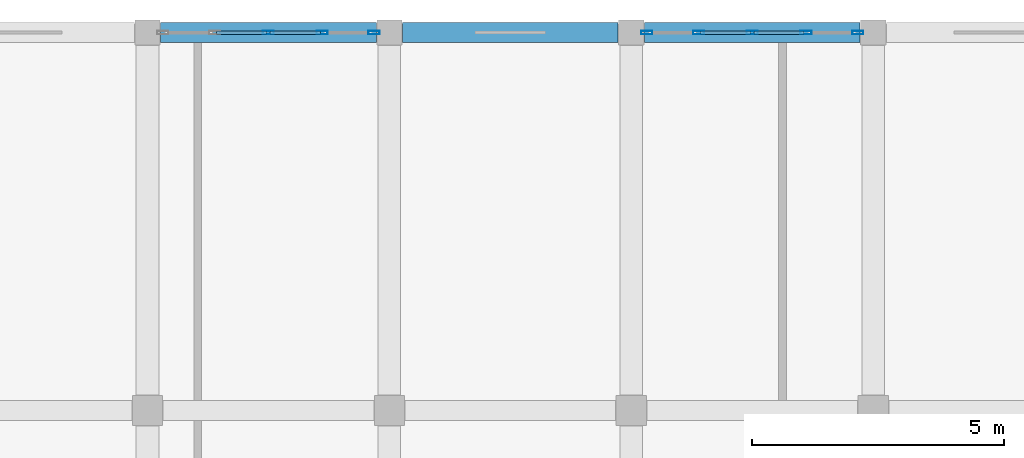
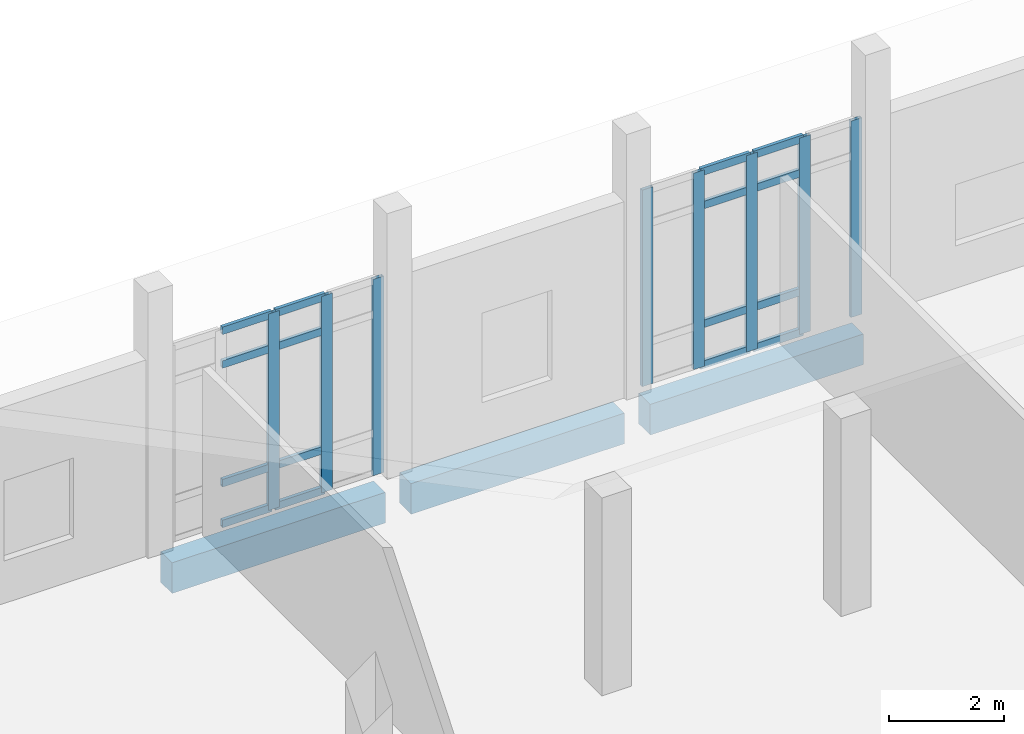
# One storey, part 101 of 164: 24 members, 3 beams, 2 elements without a shape of their own.
"""IFC4 building model written with IfcOpenShell, lengths in metres."""

from ifc_helpers import new_model, si_unit, direction, frame, origin, origin_2d, place, context, subcontext, project, spatial, rectangle, hollow_rectangle, extrude, material, layer, layer_set, material_profile, profile_set, type_object, element, aggregate, save


model = new_model("IFC4")

# Units and contexts
model_context = context("Model", 3, precision=1e-05, world=origin(), true_north=direction((0.0, 1.0)))
body_context = subcontext(model_context, "Body", "Model", "MODEL_VIEW")
ifc_project = project(units=[si_unit("LENGTHUNIT", "METRE"), si_unit("AREAUNIT", "SQUARE_METRE"), si_unit("VOLUMEUNIT", "CUBIC_METRE"), si_unit("PLANEANGLEUNIT", "RADIAN"), si_unit("MASSUNIT", "GRAM", prefix="KILO")], contexts=[model_context])

# Site, building, storey
site_placement = place(None, origin())
site = spatial("IfcSite", under=ifc_project, at=site_placement, CompositionType="ELEMENT")
building_placement = place(site_placement, origin())
building = spatial("IfcBuilding", under=site, at=building_placement, Name="Mawjan Specialist Oncology Clinic", CompositionType="ELEMENT")
storey_placement = place(building_placement, frame((0.0, 0.0, 5.0)))
storey = spatial("IfcBuildingStorey", under=building, at=storey_placement, Name="L01", CompositionType="ELEMENT", Elevation=5.0)

# Curtain wall, members
ifc_material_1 = material(Name="Unitised spectrally selective aluminium curtain wall", Category="aluminium")
ifc_layer = layer(ifc_material_1, 0.179931640625, Name="Unitised spectrally selective aluminium curtain wall", Category="aluminium")
ifc_layer_set = layer_set([ifc_layer], Name="Unitised spectrally selective aluminium curtain wall")
curtain_wall_type = type_object("IfcCurtainWallType", Name="CW-63", PredefinedType="NOTDEFINED", material=ifc_layer_set)
curtain_wall_1_placement = place(storey_placement, origin())
curtain_wall_1 = element("IfcCurtainWall", 1, at=curtain_wall_1_placement, inside=storey, type_object=curtain_wall_type, Name="L01 Unitised Curtain Wall CW-L01-121", PredefinedType="NOTDEFINED")
ifc_material_2 = material(Name="Thermally broken aluminium 6063-T6", Category="aluminium")
ifc_material_profile_1 = material_profile(ifc_material_2, hollow_rectangle(XDim=0.070068359375, YDim=0.219970703125, WallThickness=0.00390625, at=origin_2d()), Name="ALU MULLION 220x70x4", Category="aluminium")
ifc_profile_set_1 = profile_set([ifc_material_profile_1], Name="Thermally broken aluminium 6063-T6")
member_type_1 = type_object("IfcMemberType", Name="CW-M220", PredefinedType="MULLION", material=ifc_profile_set_1)
member_1_placement = place(storey_placement, frame((81.60009765625, 113.300048828125, 0.0), z_axis=(0.0, 0.0, 1.0), x_axis=(0.0, 1.0, 0.0)))
member_1 = element("IfcMember", 2, at=member_1_placement, type_object=member_type_1, Name="CW-63 mullion 3", PredefinedType="MULLION", context=body_context, shape_type="SweptSolid", body=[
    extrude(hollow_rectangle(XDim=0.070068359375, YDim=0.219970703125, WallThickness=0.00390625, at=origin_2d()), origin(), (0.0, 0.0, 1.0), 4.169921875),
])
member_2_placement = place(storey_placement, frame((82.6650390625, 113.300048828125, 0.0), z_axis=(0.0, 0.0, 1.0), x_axis=(0.0, 1.0, 0.0)))
member_2 = element("IfcMember", 3, at=member_2_placement, type_object=member_type_1, Name="CW-63 mullion 4", PredefinedType="MULLION", context=body_context, shape_type="SweptSolid", body=[
    extrude(hollow_rectangle(XDim=0.070068359375, YDim=0.219970703125, WallThickness=0.00390625, at=origin_2d()), origin(), (0.0, 0.0, 1.0), 4.169921875),
])
member_3_placement = place(storey_placement, frame((83.695068359375, 113.300048828125, 0.0), z_axis=(0.0, 0.0, 1.0), x_axis=(0.0, 1.0, 0.0)))
member_3 = element("IfcMember", 4, at=member_3_placement, type_object=member_type_1, Name="CW-63 mullion 5", PredefinedType="MULLION", context=body_context, shape_type="SweptSolid", body=[
    extrude(hollow_rectangle(XDim=0.070068359375, YDim=0.219970703125, WallThickness=0.00390625, at=origin_2d()), origin(), (0.0, 0.0, 1.0), 4.169921875),
])

curtain_wall_2_placement = place(storey_placement, origin())
curtain_wall_2 = element("IfcCurtainWall", 5, at=curtain_wall_2_placement, inside=storey, type_object=curtain_wall_type, Name="L01 Unitised Curtain Wall CW-L01-122", PredefinedType="NOTDEFINED")
member_4_placement = place(storey_placement, frame((89.10498046875, 113.300048828125, 0.0), z_axis=(0.0, 0.0, 1.0), x_axis=(0.0, 1.0, 0.0)))
member_4 = element("IfcMember", 6, at=member_4_placement, type_object=member_type_1, Name="CW-63 mullion 1", PredefinedType="MULLION", context=body_context, shape_type="SweptSolid", body=[
    extrude(hollow_rectangle(XDim=0.070068359375, YDim=0.219970703125, WallThickness=0.00390625, at=origin_2d()), origin(), (0.0, 0.0, 1.0), 4.169921875),
])
member_5_placement = place(storey_placement, frame((90.135009765625, 113.300048828125, 0.0), z_axis=(0.0, 0.0, 1.0), x_axis=(0.0, 1.0, 0.0)))
member_5 = element("IfcMember", 7, at=member_5_placement, type_object=member_type_1, Name="CW-63 mullion 2", PredefinedType="MULLION", context=body_context, shape_type="SweptSolid", body=[
    extrude(hollow_rectangle(XDim=0.070068359375, YDim=0.219970703125, WallThickness=0.00390625, at=origin_2d()), origin(), (0.0, 0.0, 1.0), 4.169921875),
])
member_6_placement = place(storey_placement, frame((91.199951171875, 113.300048828125, 0.0), z_axis=(0.0, 0.0, 1.0), x_axis=(0.0, 1.0, 0.0)))
member_6 = element("IfcMember", 8, at=member_6_placement, type_object=member_type_1, Name="CW-63 mullion 3", PredefinedType="MULLION", context=body_context, shape_type="SweptSolid", body=[
    extrude(hollow_rectangle(XDim=0.070068359375, YDim=0.219970703125, WallThickness=0.00390625, at=origin_2d()), origin(), (0.0, 0.0, 1.0), 4.169921875),
])
member_7_placement = place(storey_placement, frame((92.264892578125, 113.300048828125, 0.0), z_axis=(0.0, 0.0, 1.0), x_axis=(0.0, 1.0, 0.0)))
member_7 = element("IfcMember", 9, at=member_7_placement, type_object=member_type_1, Name="CW-63 mullion 4", PredefinedType="MULLION", context=body_context, shape_type="SweptSolid", body=[
    extrude(hollow_rectangle(XDim=0.070068359375, YDim=0.219970703125, WallThickness=0.00390625, at=origin_2d()), origin(), (0.0, 0.0, 1.0), 4.169921875),
])
member_8_placement = place(storey_placement, frame((93.294921875, 113.300048828125, 0.0), z_axis=(0.0, 0.0, 1.0), x_axis=(0.0, 1.0, 0.0)))
member_8 = element("IfcMember", 10, at=member_8_placement, type_object=member_type_1, Name="CW-63 mullion 5", PredefinedType="MULLION", context=body_context, shape_type="SweptSolid", body=[
    extrude(hollow_rectangle(XDim=0.070068359375, YDim=0.219970703125, WallThickness=0.00390625, at=origin_2d()), origin(), (0.0, 0.0, 1.0), 4.169921875),
])

# Member
ifc_material_3 = material(Name="Thermally broken aluminium 6063-T6", Category="aluminium")
ifc_material_profile_2 = material_profile(ifc_material_3, hollow_rectangle(XDim=0.070068359375, YDim=0.159912109375, WallThickness=0.00390625, at=origin_2d()), Name="ALU TRANSOM 160x70x4", Category="aluminium")
ifc_profile_set_2 = profile_set([ifc_material_profile_2], Name="Thermally broken aluminium 6063-T6")
member_type_2 = type_object("IfcMemberType", Name="CW-T160", PredefinedType="USERDEFINED", material=ifc_profile_set_2)
member_9_placement = place(storey_placement, frame((80.570068359375, 113.300048828125, 0.034912109375), z_axis=(1.0, 0.0, 0.0), x_axis=(0.0, 1.0, 0.0)))
member_9 = element("IfcMember", 11, at=member_9_placement, type_object=member_type_2, Name="CW-63 transom 2.1", ObjectType="TRANSOM", PredefinedType="USERDEFINED", context=body_context, shape_type="SweptSolid", body=[
    extrude(hollow_rectangle(XDim=0.070068359375, YDim=0.159912109375, WallThickness=0.00390625, at=origin_2d()), origin(), (0.0, 0.0, 1.0), 0.994873046875),
])

member_10_placement = place(storey_placement, frame((80.570068359375, 113.300048828125, 0.89990234375), z_axis=(1.0, 0.0, 0.0), x_axis=(0.0, 1.0, 0.0)))
member_10 = element("IfcMember", 12, at=member_10_placement, type_object=member_type_2, Name="CW-63 transom 2.2", ObjectType="TRANSOM", PredefinedType="USERDEFINED", context=body_context, shape_type="SweptSolid", body=[
    extrude(hollow_rectangle(XDim=0.070068359375, YDim=0.159912109375, WallThickness=0.00390625, at=origin_2d()), origin(), (0.0, 0.0, 1.0), 0.994873046875),
])

member_11_placement = place(storey_placement, frame((80.570068359375, 113.300048828125, 3.419921875), z_axis=(1.0, 0.0, 0.0), x_axis=(0.0, 1.0, 0.0)))
member_11 = element("IfcMember", 13, at=member_11_placement, type_object=member_type_2, Name="CW-63 transom 2.3", ObjectType="TRANSOM", PredefinedType="USERDEFINED", context=body_context, shape_type="SweptSolid", body=[
    extrude(hollow_rectangle(XDim=0.070068359375, YDim=0.159912109375, WallThickness=0.00390625, at=origin_2d()), origin(), (0.0, 0.0, 1.0), 0.994873046875),
])

member_12_placement = place(storey_placement, frame((80.570068359375, 113.300048828125, 4.135009765625), z_axis=(1.0, 0.0, 0.0), x_axis=(0.0, 1.0, 0.0)))
member_12 = element("IfcMember", 14, at=member_12_placement, type_object=member_type_2, Name="CW-63 transom 2.4", ObjectType="TRANSOM", PredefinedType="USERDEFINED", context=body_context, shape_type="SweptSolid", body=[
    extrude(hollow_rectangle(XDim=0.070068359375, YDim=0.159912109375, WallThickness=0.00390625, at=origin_2d()), origin(), (0.0, 0.0, 1.0), 0.994873046875),
])

member_13_placement = place(storey_placement, frame((81.635009765625, 113.300048828125, 0.034912109375), z_axis=(1.0, 0.0, 0.0), x_axis=(0.0, 1.0, 0.0)))
member_13 = element("IfcMember", 15, at=member_13_placement, type_object=member_type_2, Name="CW-63 transom 3.1", ObjectType="TRANSOM", PredefinedType="USERDEFINED", context=body_context, shape_type="SweptSolid", body=[
    extrude(hollow_rectangle(XDim=0.070068359375, YDim=0.159912109375, WallThickness=0.00390625, at=origin_2d()), origin(), (0.0, 0.0, 1.0), 0.994873046875),
])

member_14_placement = place(storey_placement, frame((81.635009765625, 113.300048828125, 0.89990234375), z_axis=(1.0, 0.0, 0.0), x_axis=(0.0, 1.0, 0.0)))
member_14 = element("IfcMember", 16, at=member_14_placement, type_object=member_type_2, Name="CW-63 transom 3.2", ObjectType="TRANSOM", PredefinedType="USERDEFINED", context=body_context, shape_type="SweptSolid", body=[
    extrude(hollow_rectangle(XDim=0.070068359375, YDim=0.159912109375, WallThickness=0.00390625, at=origin_2d()), origin(), (0.0, 0.0, 1.0), 0.994873046875),
])

member_15_placement = place(storey_placement, frame((81.635009765625, 113.300048828125, 3.419921875), z_axis=(1.0, 0.0, 0.0), x_axis=(0.0, 1.0, 0.0)))
member_15 = element("IfcMember", 17, at=member_15_placement, type_object=member_type_2, Name="CW-63 transom 3.3", ObjectType="TRANSOM", PredefinedType="USERDEFINED", context=body_context, shape_type="SweptSolid", body=[
    extrude(hollow_rectangle(XDim=0.070068359375, YDim=0.159912109375, WallThickness=0.00390625, at=origin_2d()), origin(), (0.0, 0.0, 1.0), 0.994873046875),
])

member_16_placement = place(storey_placement, frame((81.635009765625, 113.300048828125, 4.135009765625), z_axis=(1.0, 0.0, 0.0), x_axis=(0.0, 1.0, 0.0)))
member_16 = element("IfcMember", 18, at=member_16_placement, type_object=member_type_2, Name="CW-63 transom 3.4", ObjectType="TRANSOM", PredefinedType="USERDEFINED", context=body_context, shape_type="SweptSolid", body=[
    extrude(hollow_rectangle(XDim=0.070068359375, YDim=0.159912109375, WallThickness=0.00390625, at=origin_2d()), origin(), (0.0, 0.0, 1.0), 0.994873046875),
])

aggregate(curtain_wall_1, [member_1, member_2, member_3, member_9, member_10, member_11, member_12, member_13, member_14, member_15, member_16])

member_17_placement = place(storey_placement, frame((90.169921875, 113.300048828125, 0.034912109375), z_axis=(1.0, 0.0, 0.0), x_axis=(0.0, 1.0, 0.0)))
member_17 = element("IfcMember", 19, at=member_17_placement, type_object=member_type_2, Name="CW-63 transom 2.1", ObjectType="TRANSOM", PredefinedType="USERDEFINED", context=body_context, shape_type="SweptSolid", body=[
    extrude(hollow_rectangle(XDim=0.070068359375, YDim=0.159912109375, WallThickness=0.00390625, at=origin_2d()), origin(), (0.0, 0.0, 1.0), 0.9951171875),
])

member_18_placement = place(storey_placement, frame((90.169921875, 113.300048828125, 0.89990234375), z_axis=(1.0, 0.0, 0.0), x_axis=(0.0, 1.0, 0.0)))
member_18 = element("IfcMember", 20, at=member_18_placement, type_object=member_type_2, Name="CW-63 transom 2.2", ObjectType="TRANSOM", PredefinedType="USERDEFINED", context=body_context, shape_type="SweptSolid", body=[
    extrude(hollow_rectangle(XDim=0.070068359375, YDim=0.159912109375, WallThickness=0.00390625, at=origin_2d()), origin(), (0.0, 0.0, 1.0), 0.9951171875),
])

member_19_placement = place(storey_placement, frame((90.169921875, 113.300048828125, 3.419921875), z_axis=(1.0, 0.0, 0.0), x_axis=(0.0, 1.0, 0.0)))
member_19 = element("IfcMember", 21, at=member_19_placement, type_object=member_type_2, Name="CW-63 transom 2.3", ObjectType="TRANSOM", PredefinedType="USERDEFINED", context=body_context, shape_type="SweptSolid", body=[
    extrude(hollow_rectangle(XDim=0.070068359375, YDim=0.159912109375, WallThickness=0.00390625, at=origin_2d()), origin(), (0.0, 0.0, 1.0), 0.9951171875),
])

member_20_placement = place(storey_placement, frame((90.169921875, 113.300048828125, 4.135009765625), z_axis=(1.0, 0.0, 0.0), x_axis=(0.0, 1.0, 0.0)))
member_20 = element("IfcMember", 22, at=member_20_placement, type_object=member_type_2, Name="CW-63 transom 2.4", ObjectType="TRANSOM", PredefinedType="USERDEFINED", context=body_context, shape_type="SweptSolid", body=[
    extrude(hollow_rectangle(XDim=0.070068359375, YDim=0.159912109375, WallThickness=0.00390625, at=origin_2d()), origin(), (0.0, 0.0, 1.0), 0.9951171875),
])

member_21_placement = place(storey_placement, frame((91.235107421875, 113.300048828125, 0.034912109375), z_axis=(1.0, 0.0, 0.0), x_axis=(0.0, 1.0, 0.0)))
member_21 = element("IfcMember", 23, at=member_21_placement, type_object=member_type_2, Name="CW-63 transom 3.1", ObjectType="TRANSOM", PredefinedType="USERDEFINED", context=body_context, shape_type="SweptSolid", body=[
    extrude(hollow_rectangle(XDim=0.070068359375, YDim=0.159912109375, WallThickness=0.00390625, at=origin_2d()), origin(), (0.0, 0.0, 1.0), 0.994873046875),
])

member_22_placement = place(storey_placement, frame((91.235107421875, 113.300048828125, 0.89990234375), z_axis=(1.0, 0.0, 0.0), x_axis=(0.0, 1.0, 0.0)))
member_22 = element("IfcMember", 24, at=member_22_placement, type_object=member_type_2, Name="CW-63 transom 3.2", ObjectType="TRANSOM", PredefinedType="USERDEFINED", context=body_context, shape_type="SweptSolid", body=[
    extrude(hollow_rectangle(XDim=0.070068359375, YDim=0.159912109375, WallThickness=0.00390625, at=origin_2d()), origin(), (0.0, 0.0, 1.0), 0.994873046875),
])

member_23_placement = place(storey_placement, frame((91.235107421875, 113.300048828125, 3.419921875), z_axis=(1.0, 0.0, 0.0), x_axis=(0.0, 1.0, 0.0)))
member_23 = element("IfcMember", 25, at=member_23_placement, type_object=member_type_2, Name="CW-63 transom 3.3", ObjectType="TRANSOM", PredefinedType="USERDEFINED", context=body_context, shape_type="SweptSolid", body=[
    extrude(hollow_rectangle(XDim=0.070068359375, YDim=0.159912109375, WallThickness=0.00390625, at=origin_2d()), origin(), (0.0, 0.0, 1.0), 0.994873046875),
])

member_24_placement = place(storey_placement, frame((91.235107421875, 113.300048828125, 4.135009765625), z_axis=(1.0, 0.0, 0.0), x_axis=(0.0, 1.0, 0.0)))
member_24 = element("IfcMember", 26, at=member_24_placement, type_object=member_type_2, Name="CW-63 transom 3.4", ObjectType="TRANSOM", PredefinedType="USERDEFINED", context=body_context, shape_type="SweptSolid", body=[
    extrude(hollow_rectangle(XDim=0.070068359375, YDim=0.159912109375, WallThickness=0.00390625, at=origin_2d()), origin(), (0.0, 0.0, 1.0), 0.994873046875),
])

aggregate(curtain_wall_2, [member_4, member_5, member_6, member_7, member_8, member_17, member_18, member_19, member_20, member_21, member_22, member_23, member_24])

# Beams
ifc_material_4 = material(Name="Concrete C45/55", Category="concrete")
ifc_material_profile_3 = material_profile(ifc_material_4, rectangle(XDim=0.39990234375, YDim=0.64990234375, at=origin_2d()), Name="RC BM 400x650", Category="concrete")
ifc_profile_set_3 = profile_set([ifc_material_profile_3], Name="Concrete C45/55")
beam_type = type_object("IfcBeamType", Name="SP-400x650", PredefinedType="SPANDREL", material=ifc_profile_set_3)
for number, where, z_axis, x_axis, name in (
    (27, (79.4599609375, 113.300048828125, -0.625), (1.0, 0.0, 0.0), (0.0, 1.0, 0.0), "L01 Spandrel Beam BM-L01-0413"),
    (28, (84.260009765625, 113.300048828125, -0.625), (1.0, 0.0, 0.0), (0.0, 1.0, 0.0), "L01 Spandrel Beam BM-L01-0414"),
    (29, (89.06005859375, 113.300048828125, -0.625), (1.0, 0.0, 0.0), (0.0, 1.0, 0.0), "L01 Spandrel Beam BM-L01-0415"),
):
    element("IfcBeam", number, at=place(storey_placement, frame(where, z_axis=z_axis, x_axis=x_axis)), inside=storey, type_object=beam_type, Name=name, PredefinedType="SPANDREL", context=body_context, shape_type="SweptSolid", body=[
        extrude(rectangle(XDim=0.39990234375, YDim=0.64990234375, at=origin_2d()), origin(), (0.0, 0.0, 1.0), 4.280029296875),
    ])

save(model, "model.ifc")
